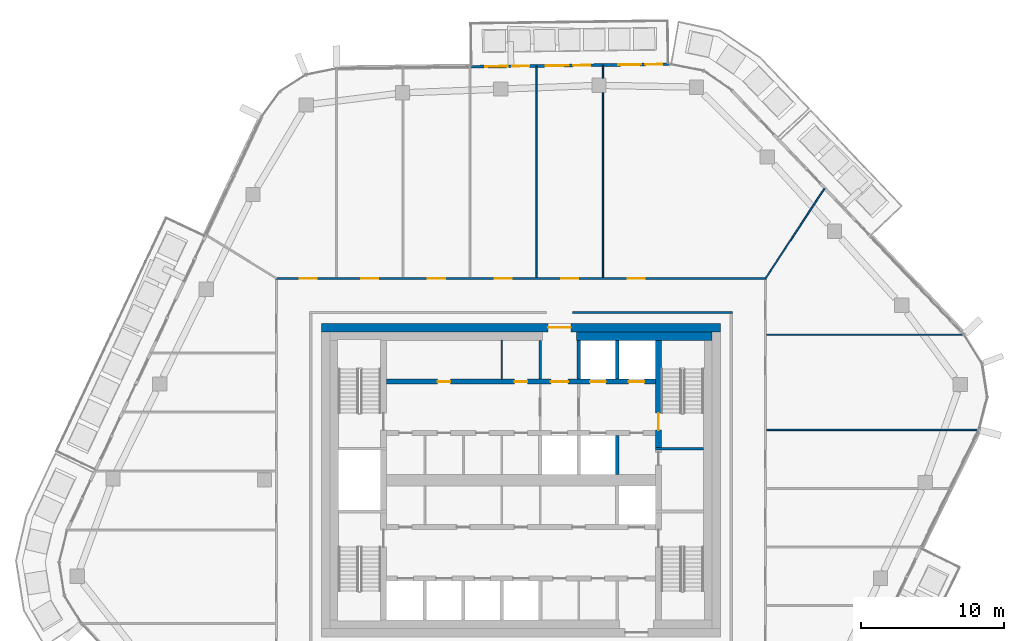
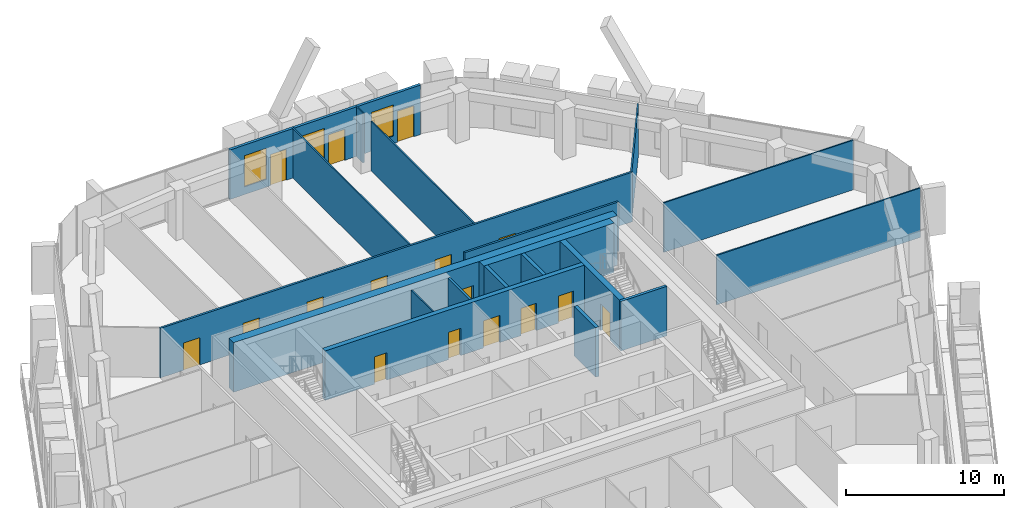
# One storey, part 16 of 23: 19 walls, 16 doors, 3 windows, 19 openings.
"""IFC4 building model written with IfcOpenShell, lengths in metres."""

from ifc_helpers import new_model, si_unit, direction, frame, frame_2d, origin, place, context, subcontext, project, spatial, rectangle, extrude, material, layer, layer_set, type_object, element, fill, save


model = new_model("IFC4")

# Units and contexts
model_context = context("Model", 3, precision=1e-05, world=origin(), true_north=direction((0.0, 1.0)))
body_context = subcontext(model_context, "Body", "Model", "MODEL_VIEW")
ifc_project = project(units=[si_unit("LENGTHUNIT", "METRE"), si_unit("AREAUNIT", "SQUARE_METRE"), si_unit("VOLUMEUNIT", "CUBIC_METRE"), si_unit("PLANEANGLEUNIT", "RADIAN"), si_unit("MASSUNIT", "GRAM", prefix="KILO")], contexts=[model_context])

# Site, building, storey
site_placement = place(None, origin())
site = spatial("IfcSite", under=ifc_project, at=site_placement, CompositionType="ELEMENT")
building_placement = place(site_placement, origin())
building = spatial("IfcBuilding", under=site, at=building_placement, Name="Dongbaek Canopy Tower", CompositionType="ELEMENT")
storey_placement = place(building_placement, frame((0.0, 0.0, 340.39990234375)))
storey = spatial("IfcBuildingStorey", under=building, at=storey_placement, Name="L73", CompositionType="ELEMENT", Elevation=340.39990234375)

# Wall, openings, doors
ifc_material_1 = material(Name="Concrete C60/75", Category="concrete")
ifc_layer_1 = layer(ifc_material_1, 0.35009765625)
ifc_layer_set_1 = layer_set([ifc_layer_1], Name="Core lobby wall 350 Concrete C60/75")
wall_type_1 = type_object("IfcWallType", Name="Core lobby wall 350 Concrete C60/75", PredefinedType="SHEAR", material=ifc_layer_set_1)
wall_1_placement = place(storey_placement, frame((-9.449951171875, 6.89990234375, 0.0), z_axis=(0.0, 0.0, 1.0), x_axis=(1.0, 0.0, 0.0)))
wall_1 = element("IfcWall", 1, at=wall_1_placement, inside=storey, type_object=wall_type_1, Name="Core wall", PredefinedType="SHEAR", context=body_context, shape_type="SweptSolid", body=[
    extrude(rectangle(XDim=18.89990234375, YDim=0.35009765625, at=frame_2d((9.449951171875, 0.0))), origin(), (0.0, 0.0, 1.0), 3.820068359375),
])
opening_1_placement = place(wall_1_placement, frame((11.550048828125, 0.0, 0.0)))
opening_1 = element("IfcOpeningElement", 2, at=opening_1_placement, cuts=wall_1, Name="Opening L73-D027", PredefinedType="OPENING", context=body_context, shape_type="SweptSolid", body=[
    extrude(rectangle(XDim=1.199951171875, YDim=2.10009765625, at=frame_2d((0.60009765625, 1.050048828125))), frame((0.0, 0.18505859375, 0.0), z_axis=(0.0, -1.0, 0.0), x_axis=(1.0, 0.0, 0.0)), (0.0, 0.0, 1.0), 0.3701171875),
])
opening_2_placement = place(wall_1_placement, frame((14.300048828125, 0.0, 0.0)))
opening_2 = element("IfcOpeningElement", 3, at=opening_2_placement, cuts=wall_1, Name="Opening L73-D028", PredefinedType="OPENING", context=body_context, shape_type="SweptSolid", body=[
    extrude(rectangle(XDim=1.10009765625, YDim=2.10009765625, at=frame_2d((0.550048828125, 1.050048828125))), frame((0.0, 0.18505859375, 0.0), z_axis=(0.0, -1.0, 0.0), x_axis=(1.0, 0.0, 0.0)), (0.0, 0.0, 1.0), 0.3701171875),
])
opening_3_placement = place(wall_1_placement, frame((17.0, 0.0, 0.0)))
opening_3 = element("IfcOpeningElement", 4, at=opening_3_placement, cuts=wall_1, Name="Opening L73-D029", PredefinedType="OPENING", context=body_context, shape_type="SweptSolid", body=[
    extrude(rectangle(XDim=1.10009765625, YDim=2.10009765625, at=frame_2d((0.550048828125, 1.050048828125))), frame((0.0, 0.18505859375, 0.0), z_axis=(0.0, -1.0, 0.0), x_axis=(1.0, 0.0, 0.0)), (0.0, 0.0, 1.0), 0.3701171875),
])
opening_4_placement = place(wall_1_placement, frame((3.60009765625, 0.0, 0.0)))
opening_4 = element("IfcOpeningElement", 5, at=opening_4_placement, cuts=wall_1, Name="Opening L73-D040", PredefinedType="OPENING", context=body_context, shape_type="SweptSolid", body=[
    extrude(rectangle(XDim=0.89990234375, YDim=2.10009765625, at=frame_2d((0.449951171875, 1.050048828125))), frame((0.0, 0.18505859375, 0.0), z_axis=(0.0, -1.0, 0.0), x_axis=(1.0, 0.0, 0.0)), (0.0, 0.0, 1.0), 0.3701171875),
])
opening_5_placement = place(wall_1_placement, frame((9.0, 0.0, 0.0)))
opening_5 = element("IfcOpeningElement", 6, at=opening_5_placement, cuts=wall_1, Name="Opening L73-D041", PredefinedType="OPENING", context=body_context, shape_type="SweptSolid", body=[
    extrude(rectangle(XDim=0.89990234375, YDim=2.10009765625, at=frame_2d((0.449951171875, 1.050048828125))), frame((0.0, 0.18505859375, 0.0), z_axis=(0.0, -1.0, 0.0), x_axis=(1.0, 0.0, 0.0)), (0.0, 0.0, 1.0), 0.3701171875),
])
ifc_material_2 = material(Name="Steel", Category="steel")
door_type_1 = type_object("IfcDoorType", Name="Core room door 900 x 2100", OperationType="SINGLE_SWING_LEFT", PredefinedType="DOOR", material=ifc_material_2)
door_1_placement = place(opening_4_placement, origin())
door_1 = element("IfcDoor", 7, at=door_1_placement, inside=storey, type_object=door_type_1, Name="Door L73-D040", OperationType="SINGLE_SWING_RIGHT", OverallHeight=2.10009765625, OverallWidth=0.89990234375, PredefinedType="DOOR", context=body_context, shape_type="SweptSolid", body=[
    extrude(rectangle(XDim=0.89990234375, YDim=2.10009765625, at=frame_2d((0.449951171875, 1.050048828125))), frame((0.0, 0.02490234375, 0.0), z_axis=(0.0, -1.0, 0.0), x_axis=(1.0, 0.0, 0.0)), (0.0, 0.0, 1.0), 0.050048828125),
])
fill(opening_4, door_1)
door_2_placement = place(opening_5_placement, origin())
door_2 = element("IfcDoor", 8, at=door_2_placement, inside=storey, type_object=door_type_1, Name="Door L73-D041", OperationType="SINGLE_SWING_LEFT", OverallHeight=2.10009765625, OverallWidth=0.89990234375, PredefinedType="DOOR", context=body_context, shape_type="SweptSolid", body=[
    extrude(rectangle(XDim=0.89990234375, YDim=2.10009765625, at=frame_2d((0.449951171875, 1.050048828125))), frame((0.0, 0.02490234375, 0.0), z_axis=(0.0, -1.0, 0.0), x_axis=(1.0, 0.0, 0.0)), (0.0, 0.0, 1.0), 0.050048828125),
])
fill(opening_5, door_2)
ifc_material_3 = material(Name="Steel", Category="steel")
door_type_2 = type_object("IfcDoorType", Name="Fire lobby door 1200 x 2100", OperationType="SINGLE_SWING_LEFT", PredefinedType="DOOR", material=ifc_material_3)
door_3_placement = place(opening_1_placement, origin())
door_3 = element("IfcDoor", 9, at=door_3_placement, inside=storey, type_object=door_type_2, Name="Door L73-D027", OperationType="SINGLE_SWING_LEFT", OverallHeight=2.10009765625, OverallWidth=1.199951171875, PredefinedType="DOOR", context=body_context, shape_type="SweptSolid", body=[
    extrude(rectangle(XDim=1.199951171875, YDim=2.10009765625, at=frame_2d((0.60009765625, 1.050048828125))), frame((0.0, 0.02490234375, 0.0), z_axis=(0.0, -1.0, 0.0), x_axis=(1.0, 0.0, 0.0)), (0.0, 0.0, 1.0), 0.050048828125),
])
fill(opening_1, door_3)
ifc_material_4 = material(Name="Stainless steel", Category="steel")
door_type_3 = type_object("IfcDoorType", Name="Lift landing door 1100 x 2100", OperationType="DOUBLE_DOOR_SLIDING", PredefinedType="DOOR", material=ifc_material_4)
door_4_placement = place(opening_2_placement, origin())
door_4 = element("IfcDoor", 10, at=door_4_placement, inside=storey, type_object=door_type_3, Name="Landing door FF1", OperationType="DOUBLE_DOOR_SLIDING", OverallHeight=2.10009765625, OverallWidth=1.10009765625, PredefinedType="DOOR", context=body_context, shape_type="SweptSolid", body=[
    extrude(rectangle(XDim=1.10009765625, YDim=2.10009765625, at=frame_2d((0.550048828125, 1.050048828125))), frame((0.0, 0.02490234375, 0.0), z_axis=(0.0, -1.0, 0.0), x_axis=(1.0, 0.0, 0.0)), (0.0, 0.0, 1.0), 0.050048828125),
])
fill(opening_2, door_4)
door_5_placement = place(opening_3_placement, origin())
door_5 = element("IfcDoor", 11, at=door_5_placement, inside=storey, type_object=door_type_3, Name="Landing door FF2", OperationType="DOUBLE_DOOR_SLIDING", OverallHeight=2.10009765625, OverallWidth=1.10009765625, PredefinedType="DOOR", context=body_context, shape_type="SweptSolid", body=[
    extrude(rectangle(XDim=1.10009765625, YDim=2.10009765625, at=frame_2d((0.550048828125, 1.050048828125))), frame((0.0, 0.02490234375, 0.0), z_axis=(0.0, -1.0, 0.0), x_axis=(1.0, 0.0, 0.0)), (0.0, 0.0, 1.0), 0.050048828125),
])
fill(opening_3, door_5)

# Wall, opening, door
ifc_material_5 = material(Name="Concrete C80/95", Category="concrete")
ifc_layer_2 = layer(ifc_material_5, 0.60009765625)
ifc_layer_set_2 = layer_set([ifc_layer_2], Name="Core outer wall 600 Concrete C80/95")
wall_type_2 = type_object("IfcWallType", Name="Core outer wall 600 Concrete C80/95", PredefinedType="SHEAR", material=ifc_layer_set_2)
wall_2_placement = place(storey_placement, frame((-14.0, 10.699951171875, 0.0), z_axis=(0.0, 0.0, 1.0), x_axis=(1.0, 0.0, 0.0)))
wall_2 = element("IfcWall", 12, at=wall_2_placement, inside=storey, type_object=wall_type_2, Name="Core wall", PredefinedType="SHEAR", context=body_context, shape_type="SweptSolid", body=[
    extrude(rectangle(XDim=28.0, YDim=0.60009765625, at=frame_2d((14.0, 0.0))), origin(), (0.0, 0.0, 1.0), 3.820068359375),
])
opening_6_placement = place(wall_2_placement, frame((15.89990234375, 0.0, 0.0)))
opening_6 = element("IfcOpeningElement", 13, at=opening_6_placement, cuts=wall_2, Name="Opening L73-D026", PredefinedType="OPENING", context=body_context, shape_type="SweptSolid", body=[
    extrude(rectangle(XDim=1.60009765625, YDim=2.10009765625, at=frame_2d((0.800048828125, 1.050048828125))), frame((0.0, 0.31005859375, 0.0), z_axis=(0.0, -1.0, 0.0), x_axis=(1.0, 0.0, 0.0)), (0.0, 0.0, 1.0), 0.6201171875),
])
ifc_material_6 = material(Name="Steel", Category="steel")
door_type_4 = type_object("IfcDoorType", Name="Core exit door 1600 x 2100", OperationType="DOUBLE_DOOR_SINGLE_SWING", PredefinedType="DOOR", material=ifc_material_6)
door_6_placement = place(opening_6_placement, origin())
door_6 = element("IfcDoor", 14, at=door_6_placement, inside=storey, type_object=door_type_4, Name="Core exit door", OperationType="DOUBLE_DOOR_SINGLE_SWING", OverallHeight=2.10009765625, OverallWidth=1.60009765625, PredefinedType="DOOR", context=body_context, shape_type="SweptSolid", body=[
    extrude(rectangle(XDim=1.60009765625, YDim=2.10009765625, at=frame_2d((0.800048828125, 1.050048828125))), frame((0.0, 0.02490234375, 0.0), z_axis=(0.0, -1.0, 0.0), x_axis=(1.0, 0.0, 0.0)), (0.0, 0.0, 1.0), 0.050048828125),
])
fill(opening_6, door_6)

# Walls
ifc_material_7 = material(Name="Concrete C60/75", Category="concrete")
ifc_layer_3 = layer(ifc_material_7, 0.60009765625)
ifc_layer_set_3 = layer_set([ifc_layer_3], Name="Core wall lining 600 Concrete C60/75")
wall_type_3 = type_object("IfcWallType", Name="Core wall lining 600 Concrete C60/75", PredefinedType="SHEAR", material=ifc_layer_set_3)
wall_3_placement = place(storey_placement, frame((3.89990234375, 10.10009765625, 0.0), z_axis=(0.0, 0.0, 1.0), x_axis=(1.0, 0.0, 0.0)))
element("IfcWall", 15, at=wall_3_placement, inside=storey, type_object=wall_type_3, Name="Core wall lining", PredefinedType="SHEAR", context=body_context, shape_type="SweptSolid", body=[
    extrude(rectangle(XDim=9.5, YDim=0.60009765625, at=frame_2d((4.75, 0.0))), origin(), (0.0, 0.0, 1.0), 3.820068359375),
])
ifc_material_8 = material(Name="Gypsum board partition, steel stud, 2 x 15 mm fire board", Category="steel")
ifc_layer_4 = layer(ifc_material_8, 0.14990234375)
ifc_layer_set_4 = layer_set([ifc_layer_4], Name="Fire-rated partition 150 gypsum board")
wall_type_4 = type_object("IfcWallType", Name="Fire-rated partition 150 gypsum board", PredefinedType="PARTITIONING", material=ifc_layer_set_4)
wall_4_placement = place(storey_placement, frame((3.60009765625, 11.75, 0.0), z_axis=(0.0, 0.0, 1.0), x_axis=(1.0, 0.0, 0.0)))
element("IfcWall", 16, at=wall_4_placement, inside=storey, type_object=wall_type_4, Name="Corridor partition", PredefinedType="PARTITIONING", context=body_context, shape_type="SweptSolid", body=[
    extrude(rectangle(XDim=11.224853515625, YDim=0.14990234375, at=frame_2d((5.6123046875, 0.0))), origin(), (0.0, 0.0, 1.0), 3.820068359375),
])

# Wall, openings, doors
wall_5_placement = place(storey_placement, frame((-17.22509765625, 14.14990234375, 0.0), z_axis=(0.0, 0.0, 1.0), x_axis=(1.0, 0.0, 0.0)))
wall_5 = element("IfcWall", 17, at=wall_5_placement, inside=storey, type_object=wall_type_4, Name="Corridor partition", PredefinedType="PARTITIONING", context=body_context, shape_type="SweptSolid", body=[
    extrude(rectangle(XDim=34.4501953125, YDim=0.14990234375, at=frame_2d((17.22509765625, 0.0))), origin(), (0.0, 0.0, 1.0), 3.820068359375),
])
opening_7_placement = place(wall_5_placement, frame((24.70849609375, 0.0, 0.0)))
opening_7 = element("IfcOpeningElement", 18, at=opening_7_placement, cuts=wall_5, Name="Opening L73-D016", PredefinedType="OPENING", context=body_context, shape_type="SweptSolid", body=[
    extrude(rectangle(XDim=1.199951171875, YDim=2.10009765625, at=frame_2d((0.60009765625, 1.050048828125))), frame((0.0, 0.0849609375, 0.0), z_axis=(0.0, -1.0, 0.0), x_axis=(1.0, 0.0, 0.0)), (0.0, 0.0, 1.0), 0.169921875),
])
opening_8_placement = place(wall_5_placement, frame((20.03759765625, 0.0, 0.0)))
opening_8 = element("IfcOpeningElement", 19, at=opening_8_placement, cuts=wall_5, Name="Opening L73-D017", PredefinedType="OPENING", context=body_context, shape_type="SweptSolid", body=[
    extrude(rectangle(XDim=1.199951171875, YDim=2.10009765625, at=frame_2d((0.60009765625, 1.050048828125))), frame((0.0, 0.0849609375, 0.0), z_axis=(0.0, -1.0, 0.0), x_axis=(1.0, 0.0, 0.0)), (0.0, 0.0, 1.0), 0.169921875),
])
opening_9_placement = place(wall_5_placement, frame((15.366943359375, 0.0, 0.0)))
opening_9 = element("IfcOpeningElement", 20, at=opening_9_placement, cuts=wall_5, Name="Opening L73-D018", PredefinedType="OPENING", context=body_context, shape_type="SweptSolid", body=[
    extrude(rectangle(XDim=1.199951171875, YDim=2.10009765625, at=frame_2d((0.60009765625, 1.050048828125))), frame((0.0, 0.0849609375, 0.0), z_axis=(0.0, -1.0, 0.0), x_axis=(1.0, 0.0, 0.0)), (0.0, 0.0, 1.0), 0.169921875),
])
opening_10_placement = place(wall_5_placement, frame((10.694580078125, 0.0, 0.0)))
opening_10 = element("IfcOpeningElement", 21, at=opening_10_placement, cuts=wall_5, Name="Opening L73-D019", PredefinedType="OPENING", context=body_context, shape_type="SweptSolid", body=[
    extrude(rectangle(XDim=1.199951171875, YDim=2.10009765625, at=frame_2d((0.60009765625, 1.050048828125))), frame((0.0, 0.0849609375, 0.0), z_axis=(0.0, -1.0, 0.0), x_axis=(1.0, 0.0, 0.0)), (0.0, 0.0, 1.0), 0.169921875),
])
opening_11_placement = place(wall_5_placement, frame((6.02490234375, 0.0, 0.0)))
opening_11 = element("IfcOpeningElement", 22, at=opening_11_placement, cuts=wall_5, Name="Opening L73-D020", PredefinedType="OPENING", context=body_context, shape_type="SweptSolid", body=[
    extrude(rectangle(XDim=1.199951171875, YDim=2.10009765625, at=frame_2d((0.60009765625, 1.050048828125))), frame((0.0, 0.0849609375, 0.0), z_axis=(0.0, -1.0, 0.0), x_axis=(1.0, 0.0, 0.0)), (0.0, 0.0, 1.0), 0.169921875),
])
opening_12_placement = place(wall_5_placement, frame((1.697998046875, 0.0, 0.0)))
opening_12 = element("IfcOpeningElement", 23, at=opening_12_placement, cuts=wall_5, Name="Opening L73-D021", PredefinedType="OPENING", context=body_context, shape_type="SweptSolid", body=[
    extrude(rectangle(XDim=1.199951171875, YDim=2.10009765625, at=frame_2d((0.60009765625, 1.050048828125))), frame((0.0, 0.0849609375, 0.0), z_axis=(0.0, -1.0, 0.0), x_axis=(1.0, 0.0, 0.0)), (0.0, 0.0, 1.0), 0.169921875),
])
ifc_material_9 = material(Name="Timber veneered door leaf", Category="wood")
door_type_5 = type_object("IfcDoorType", Name="Room door 1200 x 2100", OperationType="SINGLE_SWING_LEFT", PredefinedType="DOOR", material=ifc_material_9)
door_7_placement = place(opening_7_placement, origin())
door_7 = element("IfcDoor", 24, at=door_7_placement, inside=storey, type_object=door_type_5, Name="Door L73-D016", OperationType="SINGLE_SWING_LEFT", OverallHeight=2.10009765625, OverallWidth=1.199951171875, PredefinedType="DOOR", context=body_context, shape_type="SweptSolid", body=[
    extrude(rectangle(XDim=1.199951171875, YDim=2.10009765625, at=frame_2d((0.60009765625, 1.050048828125))), frame((0.0, 0.02490234375, 0.0), z_axis=(0.0, -1.0, 0.0), x_axis=(1.0, 0.0, 0.0)), (0.0, 0.0, 1.0), 0.050048828125),
])
fill(opening_7, door_7)
door_8_placement = place(opening_8_placement, origin())
door_8 = element("IfcDoor", 25, at=door_8_placement, inside=storey, type_object=door_type_5, Name="Door L73-D017", OperationType="SINGLE_SWING_RIGHT", OverallHeight=2.10009765625, OverallWidth=1.199951171875, PredefinedType="DOOR", context=body_context, shape_type="SweptSolid", body=[
    extrude(rectangle(XDim=1.199951171875, YDim=2.10009765625, at=frame_2d((0.60009765625, 1.050048828125))), frame((0.0, 0.02490234375, 0.0), z_axis=(0.0, -1.0, 0.0), x_axis=(1.0, 0.0, 0.0)), (0.0, 0.0, 1.0), 0.050048828125),
])
fill(opening_8, door_8)
door_9_placement = place(opening_9_placement, origin())
door_9 = element("IfcDoor", 26, at=door_9_placement, inside=storey, type_object=door_type_5, Name="Door L73-D018", OperationType="SINGLE_SWING_LEFT", OverallHeight=2.10009765625, OverallWidth=1.199951171875, PredefinedType="DOOR", context=body_context, shape_type="SweptSolid", body=[
    extrude(rectangle(XDim=1.199951171875, YDim=2.10009765625, at=frame_2d((0.60009765625, 1.050048828125))), frame((0.0, 0.02490234375, 0.0), z_axis=(0.0, -1.0, 0.0), x_axis=(1.0, 0.0, 0.0)), (0.0, 0.0, 1.0), 0.050048828125),
])
fill(opening_9, door_9)
door_10_placement = place(opening_10_placement, origin())
door_10 = element("IfcDoor", 27, at=door_10_placement, inside=storey, type_object=door_type_5, Name="Door L73-D019", OperationType="SINGLE_SWING_RIGHT", OverallHeight=2.10009765625, OverallWidth=1.199951171875, PredefinedType="DOOR", context=body_context, shape_type="SweptSolid", body=[
    extrude(rectangle(XDim=1.199951171875, YDim=2.10009765625, at=frame_2d((0.60009765625, 1.050048828125))), frame((0.0, 0.02490234375, 0.0), z_axis=(0.0, -1.0, 0.0), x_axis=(1.0, 0.0, 0.0)), (0.0, 0.0, 1.0), 0.050048828125),
])
fill(opening_10, door_10)
door_11_placement = place(opening_11_placement, origin())
door_11 = element("IfcDoor", 28, at=door_11_placement, inside=storey, type_object=door_type_5, Name="Door L73-D020", OperationType="SINGLE_SWING_LEFT", OverallHeight=2.10009765625, OverallWidth=1.199951171875, PredefinedType="DOOR", context=body_context, shape_type="SweptSolid", body=[
    extrude(rectangle(XDim=1.199951171875, YDim=2.10009765625, at=frame_2d((0.60009765625, 1.050048828125))), frame((0.0, 0.02490234375, 0.0), z_axis=(0.0, -1.0, 0.0), x_axis=(1.0, 0.0, 0.0)), (0.0, 0.0, 1.0), 0.050048828125),
])
fill(opening_11, door_11)
door_12_placement = place(opening_12_placement, origin())
door_12 = element("IfcDoor", 29, at=door_12_placement, inside=storey, type_object=door_type_5, Name="Door L73-D021", OperationType="SINGLE_SWING_RIGHT", OverallHeight=2.10009765625, OverallWidth=1.199951171875, PredefinedType="DOOR", context=body_context, shape_type="SweptSolid", body=[
    extrude(rectangle(XDim=1.199951171875, YDim=2.10009765625, at=frame_2d((0.60009765625, 1.050048828125))), frame((0.0, 0.02490234375, 0.0), z_axis=(0.0, -1.0, 0.0), x_axis=(1.0, 0.0, 0.0)), (0.0, 0.0, 1.0), 0.050048828125),
])
fill(opening_12, door_12)

# Walls
wall_6_placement = place(storey_placement, frame((1.35009765625, 7.074951171875, 0.0), z_axis=(0.0, 0.0, 1.0), x_axis=(0.0, 1.0, 0.0)))
element("IfcWall", 30, at=wall_6_placement, inside=storey, type_object=wall_type_4, Name="Fire lobby partition", PredefinedType="PARTITIONING", context=body_context, shape_type="SweptSolid", body=[
    extrude(rectangle(XDim=2.72509765625, YDim=0.14990234375, at=frame_2d((1.362548828125, 0.0))), origin(), (0.0, 0.0, 1.0), 3.820068359375),
])
ifc_material_10 = material(Name="Concrete C40/50", Category="concrete")
ifc_layer_5 = layer(ifc_material_10, 0.25)
ifc_layer_set_5 = layer_set([ifc_layer_5], Name="Lift shaft wall 250 Concrete C40/50")
wall_type_5 = type_object("IfcWallType", Name="Lift shaft wall 250 Concrete C40/50", PredefinedType="SOLIDWALL", material=ifc_layer_set_5)
for number, where, z_axis, x_axis, name in (
    (31, (6.75, 0.39990234375, 0.0), (0.0, 0.0, 1.0), (0.0, 1.0, 0.0), "Lift shaft wall"),
    (32, (6.75, 7.074951171875, 0.0), (0.0, 0.0, 1.0), (0.0, 1.0, 0.0), "Lift shaft wall"),
    (33, (4.050048828125, 7.074951171875, 0.0), (0.0, 0.0, 1.0), (0.0, 1.0, 0.0), "Lift shaft wall"),
):
    element("IfcWall", number, at=place(storey_placement, frame(where, z_axis=z_axis, x_axis=x_axis)), inside=storey, type_object=wall_type_5, Name=name, PredefinedType="SOLIDWALL", context=body_context, shape_type="SweptSolid", body=[
        extrude(rectangle(XDim=2.72509765625, YDim=0.25, at=frame_2d((1.362548828125, 0.0))), origin(), (0.0, 0.0, 1.0), 3.820068359375),
    ])
ifc_material_11 = material(Name="Gypsum board partition, steel stud, 2 x 12.5 mm board", Category="steel")
ifc_layer_6 = layer(ifc_material_11, 0.10009765625)
ifc_layer_set_6 = layer_set([ifc_layer_6], Name="Partition 100 gypsum board")
wall_type_6 = type_object("IfcWallType", Name="Partition 100 gypsum board", PredefinedType="PARTITIONING", material=ifc_layer_set_6)
wall_7_placement = place(storey_placement, frame((17.22509765625, 3.52197265625, 0.0), z_axis=(0.0, 0.0, 1.0), x_axis=(1.0, 0.0, 0.0)))
element("IfcWall", 34, at=wall_7_placement, inside=storey, type_object=wall_type_6, Name="Partition", PredefinedType="PARTITIONING", context=body_context, shape_type="SweptSolid", body=[
    extrude(rectangle(XDim=14.8544921875, YDim=0.10009765625, at=frame_2d((7.42724609375, 0.0))), origin(), (0.0, 0.0, 1.0), 3.820068359375),
])
wall_8_placement = place(storey_placement, frame((17.22509765625, 10.194091796875, 0.0), z_axis=(0.0, 0.0, 1.0), x_axis=(1.0, 0.0, 0.0)))
element("IfcWall", 35, at=wall_8_placement, inside=storey, type_object=wall_type_6, Name="Partition", PredefinedType="PARTITIONING", context=body_context, shape_type="SweptSolid", body=[
    extrude(rectangle(XDim=13.823486328125, YDim=0.10009765625, at=frame_2d((6.91162109375, 0.0))), origin(), (0.0, 0.0, 1.0), 3.820068359375),
])
wall_9_placement = place(storey_placement, frame((17.150146484375, 14.14990234375, 0.0), z_axis=(0.0, 0.0, 1.0), x_axis=(0.548731307267, 0.835998775373, 0.0)))
element("IfcWall", 36, at=wall_9_placement, inside=storey, type_object=wall_type_6, Name="Partition", PredefinedType="PARTITIONING", context=body_context, shape_type="SweptSolid", body=[
    extrude(rectangle(XDim=7.55029296875, YDim=0.10009765625, at=frame_2d((3.775146484375, 0.0))), origin(), (0.0, 0.0, 1.0), 3.820068359375),
])
wall_10_placement = place(storey_placement, frame((5.748046875, 14.22509765625, 0.0), z_axis=(0.0, 0.0, 1.0), x_axis=(0.0, 1.0, 0.0)))
element("IfcWall", 37, at=wall_10_placement, inside=storey, type_object=wall_type_6, Name="Partition", PredefinedType="PARTITIONING", context=body_context, shape_type="SweptSolid", body=[
    extrude(rectangle(XDim=12.966796875, YDim=0.10009765625, at=frame_2d((6.4833984375, 0.0))), origin(), (0.0, 0.0, 1.0), 3.820068359375),
])
wall_11_placement = place(storey_placement, frame((5.748046875, 28.19189453125, 0.0), z_axis=(0.0, 0.0, 1.0), x_axis=(0.0, 1.0, 0.0)))
element("IfcWall", 38, at=wall_11_placement, inside=storey, type_object=wall_type_6, Name="Partition", PredefinedType="PARTITIONING", context=body_context, shape_type="SweptSolid", body=[
    extrude(rectangle(XDim=0.903076171875, YDim=0.10009765625, at=frame_2d((0.45166015625, 0.0))), origin(), (0.0, 0.0, 1.0), 3.820068359375),
])
wall_12_placement = place(storey_placement, frame((1.076904296875, 14.22509765625, 0.0), z_axis=(0.0, 0.0, 1.0), x_axis=(0.0, 1.0, 0.0)))
element("IfcWall", 39, at=wall_12_placement, inside=storey, type_object=wall_type_6, Name="Partition", PredefinedType="PARTITIONING", context=body_context, shape_type="SweptSolid", body=[
    extrude(rectangle(XDim=14.808349609375, YDim=0.10009765625, at=frame_2d((7.404296875, 0.0))), origin(), (0.0, 0.0, 1.0), 3.820068359375),
])
wall_13_placement = place(storey_placement, frame((-1.35009765625, 7.074951171875, 0.0), z_axis=(0.0, 0.0, 1.0), x_axis=(0.0, 1.0, 0.0)))
element("IfcWall", 40, at=wall_13_placement, inside=storey, type_object=wall_type_6, Name="Core partition", PredefinedType="PARTITIONING", context=body_context, shape_type="SweptSolid", body=[
    extrude(rectangle(XDim=2.72509765625, YDim=0.10009765625, at=frame_2d((1.362548828125, 0.0))), origin(), (0.0, 0.0, 1.0), 3.820068359375),
])
ifc_material_12 = material(Name="Concrete C60/75", Category="concrete")
ifc_layer_7 = layer(ifc_material_12, 0.199951171875)
ifc_layer_set_7 = layer_set([ifc_layer_7], Name="Riser wall 200 Concrete C60/75")
wall_type_7 = type_object("IfcWallType", Name="Riser wall 200 Concrete C60/75", PredefinedType="SHEAR", material=ifc_layer_set_7)
wall_14_placement = place(storey_placement, frame((9.449951171875, 2.199951171875, 0.0), z_axis=(0.0, 0.0, 1.0), x_axis=(1.0, 0.0, 0.0)))
element("IfcWall", 41, at=wall_14_placement, inside=storey, type_object=wall_type_7, Name="Riser wall", PredefinedType="SHEAR", context=body_context, shape_type="SweptSolid", body=[
    extrude(rectangle(XDim=3.35009765625, YDim=0.199951171875, at=frame_2d((1.675048828125, 0.0))), origin(), (0.0, 0.0, 1.0), 3.820068359375),
])

# Wall, opening, door
ifc_material_13 = material(Name="Concrete C60/75", Category="concrete")
ifc_layer_8 = layer(ifc_material_13, 0.39990234375)
ifc_layer_set_8 = layer_set([ifc_layer_8], Name="Stair wall 400 Concrete C60/75")
wall_type_8 = type_object("IfcWallType", Name="Stair wall 400 Concrete C60/75", PredefinedType="SHEAR", material=ifc_layer_set_8)
wall_15_placement = place(storey_placement, frame((9.64990234375, 9.800048828125, 0.0), z_axis=(0.0, 0.0, 1.0), x_axis=(0.0, -1.0, 0.0)))
wall_15 = element("IfcWall", 42, at=wall_15_placement, inside=storey, type_object=wall_type_8, Name="Stair wall", PredefinedType="SHEAR", context=body_context, shape_type="SweptSolid", body=[
    extrude(rectangle(XDim=7.5, YDim=0.39990234375, at=frame_2d((3.75, 0.0))), origin(), (0.0, 0.0, 1.0), 3.820068359375),
])
opening_13_placement = place(wall_15_placement, frame((5.10009765625, 0.0, 0.0)))
opening_13 = element("IfcOpeningElement", 43, at=opening_13_placement, cuts=wall_15, Name="Opening L73-D052", PredefinedType="OPENING", context=body_context, shape_type="SweptSolid", body=[
    extrude(rectangle(XDim=1.199951171875, YDim=2.10009765625, at=frame_2d((0.60009765625, 1.050048828125))), frame((0.0, 0.2099609375, 0.0), z_axis=(0.0, -1.0, 0.0), x_axis=(1.0, 0.0, 0.0)), (0.0, 0.0, 1.0), 0.419921875),
])
ifc_material_14 = material(Name="Steel", Category="steel")
door_type_6 = type_object("IfcDoorType", Name="Stair door 1200 x 2100", OperationType="SINGLE_SWING_LEFT", PredefinedType="DOOR", material=ifc_material_14)
door_13_placement = place(opening_13_placement, origin())
door_13 = element("IfcDoor", 44, at=door_13_placement, inside=storey, type_object=door_type_6, Name="Stair A door", OperationType="SINGLE_SWING_LEFT", OverallHeight=2.10009765625, OverallWidth=1.199951171875, PredefinedType="DOOR", context=body_context, shape_type="SweptSolid", body=[
    extrude(rectangle(XDim=1.199951171875, YDim=2.10009765625, at=frame_2d((0.60009765625, 1.050048828125))), frame((0.0, 0.02490234375, 0.0), z_axis=(0.0, -1.0, 0.0), x_axis=(1.0, 0.0, 0.0)), (0.0, 0.0, 1.0), 0.050048828125),
])
fill(opening_13, door_13)

# Wall, openings, doors, windows
ifc_material_15 = material(Name="Aluminium window wall", Category="aluminium")
ifc_layer_9 = layer(ifc_material_15, 0.199951171875)
ifc_layer_set_9 = layer_set([ifc_layer_9], Name="Window wall 200")
wall_type_9 = type_object("IfcWallType", Name="Window wall 200", PredefinedType="SOLIDWALL", material=ifc_layer_set_9)
wall_16_placement = place(storey_placement, frame((10.4189453125, 29.176513671875, 0.0), z_axis=(0.0, 0.0, 1.0), x_axis=(-0.999913262087, -0.013170736582, 0.0)))
wall_16 = element("IfcWall", 45, at=wall_16_placement, inside=storey, type_object=wall_type_9, Name="Window wall L73 2", PredefinedType="SOLIDWALL", context=body_context, shape_type="SweptSolid", body=[
    extrude(rectangle(XDim=14.013671875, YDim=0.199951171875, at=frame_2d((7.0068359375, 0.0))), origin(), (0.0, 0.0, 1.0), 3.820068359375),
])
opening_14_placement = place(wall_16_placement, frame((2.0, 0.0, 0.60009765625)))
opening_14 = element("IfcOpeningElement", 46, at=opening_14_placement, cuts=wall_16, Name="Opening W1", PredefinedType="OPENING", context=body_context, shape_type="SweptSolid", body=[
    extrude(rectangle(XDim=1.60009765625, YDim=2.39990234375, at=frame_2d((0.800048828125, 1.199951171875))), frame((0.0, 0.10986328125, 0.0), z_axis=(0.0, -1.0, 0.0), x_axis=(1.0, 0.0, 0.0)), (0.0, 0.0, 1.0), 0.219970703125),
])
opening_15_placement = place(wall_16_placement, frame((0.5, 0.0, 0.0)))
opening_15 = element("IfcOpeningElement", 47, at=opening_15_placement, cuts=wall_16, Name="Opening L73-B04", PredefinedType="OPENING", context=body_context, shape_type="SweptSolid", body=[
    extrude(rectangle(XDim=1.199951171875, YDim=2.39990234375, at=frame_2d((0.60009765625, 1.199951171875))), frame((0.0, 0.10986328125, 0.0), z_axis=(0.0, -1.0, 0.0), x_axis=(1.0, 0.0, 0.0)), (0.0, 0.0, 1.0), 0.219970703125),
])
opening_16_placement = place(wall_16_placement, frame((7.0712890625, 0.0, 0.60009765625)))
opening_16 = element("IfcOpeningElement", 48, at=opening_16_placement, cuts=wall_16, Name="Opening W1", PredefinedType="OPENING", context=body_context, shape_type="SweptSolid", body=[
    extrude(rectangle(XDim=1.60009765625, YDim=2.39990234375, at=frame_2d((0.800048828125, 1.199951171875))), frame((0.0, 0.10986328125, 0.0), z_axis=(0.0, -1.0, 0.0), x_axis=(1.0, 0.0, 0.0)), (0.0, 0.0, 1.0), 0.219970703125),
])
opening_17_placement = place(wall_16_placement, frame((5.5712890625, 0.0, 0.0)))
opening_17 = element("IfcOpeningElement", 49, at=opening_17_placement, cuts=wall_16, Name="Opening L73-B05", PredefinedType="OPENING", context=body_context, shape_type="SweptSolid", body=[
    extrude(rectangle(XDim=1.199951171875, YDim=2.39990234375, at=frame_2d((0.60009765625, 1.199951171875))), frame((0.0, 0.10986328125, 0.0), z_axis=(0.0, -1.0, 0.0), x_axis=(1.0, 0.0, 0.0)), (0.0, 0.0, 1.0), 0.219970703125),
])
opening_18_placement = place(wall_16_placement, frame((11.34228515625, 0.0, 0.60009765625)))
opening_18 = element("IfcOpeningElement", 50, at=opening_18_placement, cuts=wall_16, Name="Opening W1", PredefinedType="OPENING", context=body_context, shape_type="SweptSolid", body=[
    extrude(rectangle(XDim=1.60009765625, YDim=2.39990234375, at=frame_2d((0.800048828125, 1.199951171875))), frame((0.0, 0.10986328125, 0.0), z_axis=(0.0, -1.0, 0.0), x_axis=(1.0, 0.0, 0.0)), (0.0, 0.0, 1.0), 0.219970703125),
])
opening_19_placement = place(wall_16_placement, frame((9.84228515625, 0.0, 0.0)))
opening_19 = element("IfcOpeningElement", 51, at=opening_19_placement, cuts=wall_16, Name="Opening L73-B06", PredefinedType="OPENING", context=body_context, shape_type="SweptSolid", body=[
    extrude(rectangle(XDim=1.199951171875, YDim=2.39990234375, at=frame_2d((0.60009765625, 1.199951171875))), frame((0.0, 0.10986328125, 0.0), z_axis=(0.0, -1.0, 0.0), x_axis=(1.0, 0.0, 0.0)), (0.0, 0.0, 1.0), 0.219970703125),
])
ifc_material_16 = material(Name="Clear glazing in aluminium frame", Category="aluminium")
door_type_7 = type_object("IfcDoorType", Name="Balcony door BD1 1200 x 2400", OperationType="SLIDING_TO_LEFT", PredefinedType="DOOR", material=ifc_material_16)
door_14_placement = place(opening_15_placement, origin())
door_14 = element("IfcDoor", 52, at=door_14_placement, inside=storey, type_object=door_type_7, Name="Balcony door L73-B04", OperationType="SLIDING_TO_LEFT", OverallHeight=2.39990234375, OverallWidth=1.199951171875, PredefinedType="DOOR", context=body_context, shape_type="SweptSolid", body=[
    extrude(rectangle(XDim=1.199951171875, YDim=2.39990234375, at=frame_2d((0.60009765625, 1.199951171875))), frame((0.0, 0.02490234375, 0.0), z_axis=(0.0, -1.0, 0.0), x_axis=(1.0, 0.0, 0.0)), (0.0, 0.0, 1.0), 0.050048828125),
])
fill(opening_15, door_14)
door_15_placement = place(opening_17_placement, origin())
door_15 = element("IfcDoor", 53, at=door_15_placement, inside=storey, type_object=door_type_7, Name="Balcony door L73-B05", OperationType="SLIDING_TO_LEFT", OverallHeight=2.39990234375, OverallWidth=1.199951171875, PredefinedType="DOOR", context=body_context, shape_type="SweptSolid", body=[
    extrude(rectangle(XDim=1.199951171875, YDim=2.39990234375, at=frame_2d((0.60009765625, 1.199951171875))), frame((0.0, 0.02490234375, 0.0), z_axis=(0.0, -1.0, 0.0), x_axis=(1.0, 0.0, 0.0)), (0.0, 0.0, 1.0), 0.050048828125),
])
fill(opening_17, door_15)
door_16_placement = place(opening_19_placement, origin())
door_16 = element("IfcDoor", 54, at=door_16_placement, inside=storey, type_object=door_type_7, Name="Balcony door L73-B06", OperationType="SLIDING_TO_LEFT", OverallHeight=2.39990234375, OverallWidth=1.199951171875, PredefinedType="DOOR", context=body_context, shape_type="SweptSolid", body=[
    extrude(rectangle(XDim=1.199951171875, YDim=2.39990234375, at=frame_2d((0.60009765625, 1.199951171875))), frame((0.0, 0.02490234375, 0.0), z_axis=(0.0, -1.0, 0.0), x_axis=(1.0, 0.0, 0.0)), (0.0, 0.0, 1.0), 0.050048828125),
])
fill(opening_19, door_16)
ifc_material_17 = material(Name="Clear glazing in aluminium frame", Category="aluminium")
window_type = type_object("IfcWindowType", Name="Window W1 1600 x 2400", PartitioningType="SINGLE_PANEL", PredefinedType="WINDOW", material=ifc_material_17)
window_1_placement = place(opening_14_placement, origin())
window_1 = element("IfcWindow", 55, at=window_1_placement, inside=storey, type_object=window_type, Name="Window L73 2.1", OverallHeight=2.39990234375, OverallWidth=1.60009765625, PartitioningType="SINGLE_PANEL", PredefinedType="WINDOW", context=body_context, shape_type="SweptSolid", body=[
    extrude(rectangle(XDim=1.60009765625, YDim=2.39990234375, at=frame_2d((0.800048828125, 1.199951171875))), frame((0.0, 0.030029296875, 0.0), z_axis=(0.0, -1.0, 0.0), x_axis=(1.0, 0.0, 0.0)), (0.0, 0.0, 1.0), 0.06005859375),
])
fill(opening_14, window_1)
window_2_placement = place(opening_16_placement, origin())
window_2 = element("IfcWindow", 56, at=window_2_placement, inside=storey, type_object=window_type, Name="Window L73 2.2", OverallHeight=2.39990234375, OverallWidth=1.60009765625, PartitioningType="SINGLE_PANEL", PredefinedType="WINDOW", context=body_context, shape_type="SweptSolid", body=[
    extrude(rectangle(XDim=1.60009765625, YDim=2.39990234375, at=frame_2d((0.800048828125, 1.199951171875))), frame((0.0, 0.030029296875, 0.0), z_axis=(0.0, -1.0, 0.0), x_axis=(1.0, 0.0, 0.0)), (0.0, 0.0, 1.0), 0.06005859375),
])
fill(opening_16, window_2)
window_3_placement = place(opening_18_placement, origin())
window_3 = element("IfcWindow", 57, at=window_3_placement, inside=storey, type_object=window_type, Name="Window L73 2.3", OverallHeight=2.39990234375, OverallWidth=1.60009765625, PartitioningType="SINGLE_PANEL", PredefinedType="WINDOW", context=body_context, shape_type="SweptSolid", body=[
    extrude(rectangle(XDim=1.60009765625, YDim=2.39990234375, at=frame_2d((0.800048828125, 1.199951171875))), frame((0.0, 0.030029296875, 0.0), z_axis=(0.0, -1.0, 0.0), x_axis=(1.0, 0.0, 0.0)), (0.0, 0.0, 1.0), 0.06005859375),
])
fill(opening_18, window_3)

save(model, "model.ifc")
